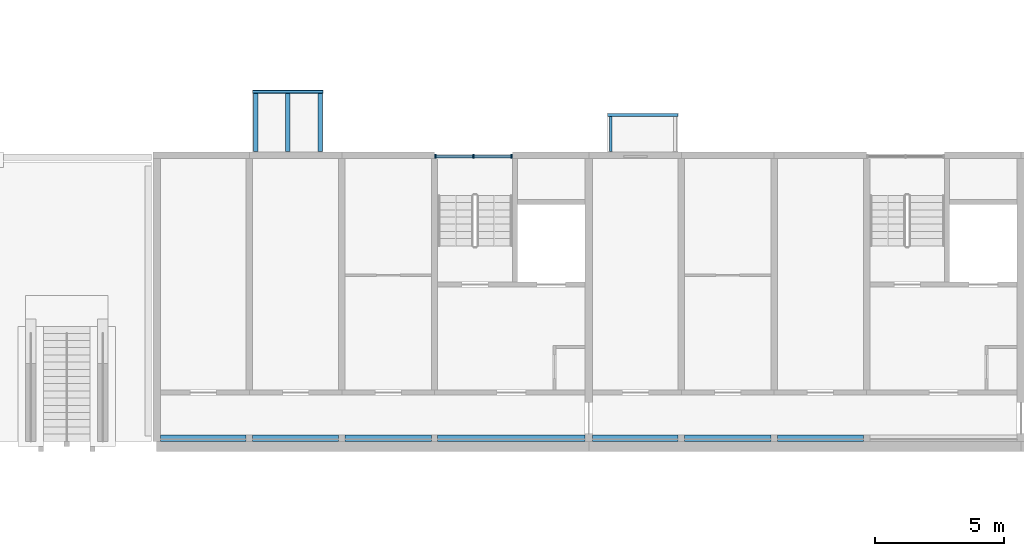
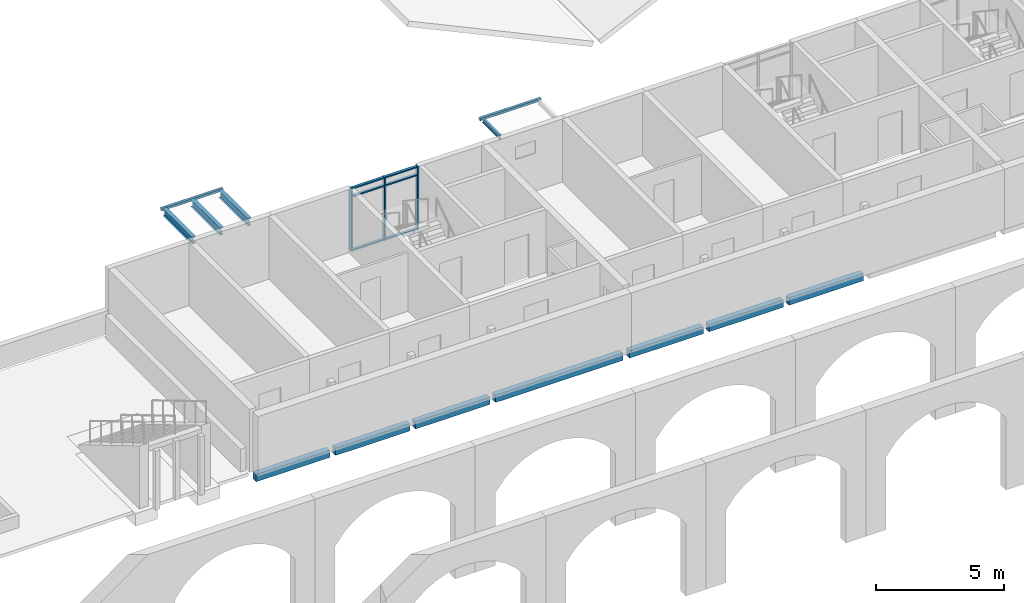
# One storey, part 10 of 122: 13 beams, 9 members, 1 element without a shape of its own.
"""IFC4 building model written with IfcOpenShell, lengths in metres."""

from ifc_helpers import new_model, si_unit, direction, frame, origin, origin_2d, place, context, subcontext, project, spatial, rectangle, hollow_rectangle, i_section, extrude, material, material_profile, profile_set, type_object, element, aggregate, save


model = new_model("IFC4")

# Units and contexts
model_context = context("Model", 3, precision=1e-05, world=origin(), true_north=direction((0.0, 1.0)))
body_context = subcontext(model_context, "Body", "Model", "MODEL_VIEW")
ifc_project = project(units=[si_unit("LENGTHUNIT", "METRE"), si_unit("AREAUNIT", "SQUARE_METRE"), si_unit("VOLUMEUNIT", "CUBIC_METRE"), si_unit("PLANEANGLEUNIT", "RADIAN"), si_unit("MASSUNIT", "GRAM", prefix="KILO")], contexts=[model_context])

# Site, building, storey
site_placement = place(None, origin())
site = spatial("IfcSite", under=ifc_project, at=site_placement, CompositionType="ELEMENT")
building_placement = place(site_placement, origin())
building = spatial("IfcBuilding", under=site, at=building_placement, Name="Ridgestep Commons", CompositionType="ELEMENT")
storey_placement = place(building_placement, frame((0.0, 0.0, 3.0)))
storey = spatial("IfcBuildingStorey", under=building, at=storey_placement, Name="L01", CompositionType="ELEMENT", Elevation=3.0)

# Beams
ifc_material_1 = material(Name="Precast concrete C40/50", Category="concrete")
ifc_material_profile_1 = material_profile(ifc_material_1, rectangle(XDim=0.25, YDim=0.35009765625, at=origin_2d()), Name="PC 250x350")
ifc_profile_set_1 = profile_set([ifc_material_profile_1], Name="Precast concrete C40/50")
beam_type_1 = type_object("IfcBeamType", Name="Loggia edge beam 250 x 350", PredefinedType="SPANDREL", material=ifc_profile_set_1)
beam_1_placement = place(storey_placement, frame((12.14990234375, 11.875, -0.375), z_axis=(1.0, 0.0, 0.0), x_axis=(0.0, 1.0, 0.0)))
element("IfcBeam", 1, at=beam_1_placement, inside=storey, type_object=beam_type_1, Name="Loggia edge beam A1T1 L01", PredefinedType="SPANDREL", context=body_context, shape_type="SweptSolid", body=[
    extrude(rectangle(XDim=0.25, YDim=0.35009765625, at=origin_2d()), origin(), (0.0, 0.0, 1.0), 3.3251953125),
])
beam_2_placement = place(storey_placement, frame((15.72509765625, 11.875, -0.375), z_axis=(1.0, 0.0, 0.0), x_axis=(0.0, 1.0, 0.0)))
element("IfcBeam", 2, at=beam_2_placement, inside=storey, type_object=beam_type_1, Name="Loggia edge beam A1T2 L01", PredefinedType="SPANDREL", context=body_context, shape_type="SweptSolid", body=[
    extrude(rectangle(XDim=0.25, YDim=0.35009765625, at=origin_2d()), origin(), (0.0, 0.0, 1.0), 3.349853515625),
])
beam_3_placement = place(storey_placement, frame((19.324951171875, 11.875, -0.375), z_axis=(1.0, 0.0, 0.0), x_axis=(0.0, 1.0, 0.0)))
element("IfcBeam", 3, at=beam_3_placement, inside=storey, type_object=beam_type_1, Name="Loggia edge beam A1T3 L01", PredefinedType="SPANDREL", context=body_context, shape_type="SweptSolid", body=[
    extrude(rectangle(XDim=0.25, YDim=0.35009765625, at=origin_2d()), origin(), (0.0, 0.0, 1.0), 3.35009765625),
])
beam_4_placement = place(storey_placement, frame((22.925048828125, 11.875, -0.375), z_axis=(1.0, 0.0, 0.0), x_axis=(0.0, 1.0, 0.0)))
element("IfcBeam", 4, at=beam_4_placement, inside=storey, type_object=beam_type_1, Name="Loggia edge beam A1C L01", PredefinedType="SPANDREL", context=body_context, shape_type="SweptSolid", body=[
    extrude(rectangle(XDim=0.25, YDim=0.35009765625, at=origin_2d()), origin(), (0.0, 0.0, 1.0), 5.724853515625),
])
beam_5_placement = place(storey_placement, frame((28.949951171875, 11.875, -0.375), z_axis=(1.0, 0.0, 0.0), x_axis=(0.0, 1.0, 0.0)))
element("IfcBeam", 5, at=beam_5_placement, inside=storey, type_object=beam_type_1, Name="Loggia edge beam A2T1 L01", PredefinedType="SPANDREL", context=body_context, shape_type="SweptSolid", body=[
    extrude(rectangle(XDim=0.25, YDim=0.35009765625, at=origin_2d()), origin(), (0.0, 0.0, 1.0), 3.324951171875),
])
for number, where, z_axis, x_axis, name in (
    (6, (32.52490234375, 11.875, -0.375), (1.0, 0.0, 0.0), (0.0, 1.0, 0.0), "Loggia edge beam A2T2 L01"),
    (7, (36.125, 11.875, -0.375), (1.0, 0.0, 0.0), (0.0, 1.0, 0.0), "Loggia edge beam A2T3 L01"),
):
    element("IfcBeam", number, at=place(storey_placement, frame(where, z_axis=z_axis, x_axis=x_axis)), inside=storey, type_object=beam_type_1, Name=name, PredefinedType="SPANDREL", context=body_context, shape_type="SweptSolid", body=[
        extrude(rectangle(XDim=0.25, YDim=0.35009765625, at=origin_2d()), origin(), (0.0, 0.0, 1.0), 3.35009765625),
    ])

# Curtain wall, members
ifc_material_2 = material(Name="Aluminium 6063-T6 and glass", Category="aluminium")
curtain_wall_type = type_object("IfcCurtainWallType", Name="Curtain wall stair strip", PredefinedType="NOTDEFINED", material=ifc_material_2)
curtain_wall_placement = place(storey_placement, origin())
curtain_wall = element("IfcCurtainWall", 8, at=curtain_wall_placement, inside=storey, type_object=curtain_wall_type, Name="Curtain wall A1C level 01", PredefinedType="NOTDEFINED")
ifc_material_3 = material(Name="Aluminium 6063-T6", Category="aluminium")
ifc_material_profile_2 = material_profile(ifc_material_3, rectangle(XDim=0.159912109375, YDim=0.06005859375, at=origin_2d()), Name="Mullion 60 x 160")
ifc_profile_set_2 = profile_set([ifc_material_profile_2], Name="Aluminium 6063-T6")
member_type_1 = type_object("IfcMemberType", Name="Mullion 60 x 160", PredefinedType="MULLION", material=ifc_profile_set_2)
member_1_placement = place(storey_placement, frame((22.830078125, 22.830078125, 0.0), z_axis=(0.0, 0.0, 1.0), x_axis=(0.0, 1.0, 0.0)))
member_1 = element("IfcMember", 9, at=member_1_placement, type_object=member_type_1, Name="CW1 mullion 1", PredefinedType="MULLION", context=body_context, shape_type="SweptSolid", body=[
    extrude(rectangle(XDim=0.159912109375, YDim=0.06005859375, at=origin_2d()), origin(), (0.0, 0.0, 1.0), 3.0),
])
member_2_placement = place(storey_placement, frame((24.3125, 22.830078125, 0.0), z_axis=(0.0, 0.0, 1.0), x_axis=(0.0, 1.0, 0.0)))
member_2 = element("IfcMember", 10, at=member_2_placement, type_object=member_type_1, Name="CW1 mullion 2", PredefinedType="MULLION", context=body_context, shape_type="SweptSolid", body=[
    extrude(rectangle(XDim=0.159912109375, YDim=0.06005859375, at=origin_2d()), origin(), (0.0, 0.0, 1.0), 3.0),
])
member_3_placement = place(storey_placement, frame((25.794921875, 22.830078125, 0.0), z_axis=(0.0, 0.0, 1.0), x_axis=(0.0, 1.0, 0.0)))
member_3 = element("IfcMember", 11, at=member_3_placement, type_object=member_type_1, Name="CW1 mullion 3", PredefinedType="MULLION", context=body_context, shape_type="SweptSolid", body=[
    extrude(rectangle(XDim=0.159912109375, YDim=0.06005859375, at=origin_2d()), origin(), (0.0, 0.0, 1.0), 3.0),
])
ifc_material_4 = material(Name="Aluminium 6063-T6", Category="aluminium")
ifc_material_profile_3 = material_profile(ifc_material_4, rectangle(XDim=0.1201171875, YDim=0.06005859375, at=origin_2d()), Name="Transom 60 x 120")
ifc_profile_set_3 = profile_set([ifc_material_profile_3], Name="Aluminium 6063-T6")
member_type_2 = type_object("IfcMemberType", Name="Transom 60 x 120", PredefinedType="USERDEFINED", material=ifc_profile_set_3)
member_4_placement = place(storey_placement, frame((22.860107421875, 22.830078125, 0.030029296875), z_axis=(1.0, 0.0, 0.0), x_axis=(0.0, 1.0, 0.0)))
member_4 = element("IfcMember", 12, at=member_4_placement, type_object=member_type_2, Name="CW1 transom 1.1", ObjectType="TRANSOM", PredefinedType="USERDEFINED", context=body_context, shape_type="SweptSolid", body=[
    extrude(rectangle(XDim=0.1201171875, YDim=0.06005859375, at=origin_2d()), origin(), (0.0, 0.0, 1.0), 1.42236328125),
])
member_5_placement = place(storey_placement, frame((22.860107421875, 22.830078125, 2.590087890625), z_axis=(1.0, 0.0, 0.0), x_axis=(0.0, 1.0, 0.0)))
member_5 = element("IfcMember", 13, at=member_5_placement, type_object=member_type_2, Name="CW1 transom 1.2", ObjectType="TRANSOM", PredefinedType="USERDEFINED", context=body_context, shape_type="SweptSolid", body=[
    extrude(rectangle(XDim=0.1201171875, YDim=0.06005859375, at=origin_2d()), origin(), (0.0, 0.0, 1.0), 1.42236328125),
])
member_6_placement = place(storey_placement, frame((22.860107421875, 22.830078125, 2.969970703125), z_axis=(1.0, 0.0, 0.0), x_axis=(0.0, 1.0, 0.0)))
member_6 = element("IfcMember", 14, at=member_6_placement, type_object=member_type_2, Name="CW1 transom 1.3", ObjectType="TRANSOM", PredefinedType="USERDEFINED", context=body_context, shape_type="SweptSolid", body=[
    extrude(rectangle(XDim=0.1201171875, YDim=0.06005859375, at=origin_2d()), origin(), (0.0, 0.0, 1.0), 1.42236328125),
])
member_7_placement = place(storey_placement, frame((24.342529296875, 22.830078125, 0.030029296875), z_axis=(1.0, 0.0, 0.0), x_axis=(0.0, 1.0, 0.0)))
member_7 = element("IfcMember", 15, at=member_7_placement, type_object=member_type_2, Name="CW1 transom 2.1", ObjectType="TRANSOM", PredefinedType="USERDEFINED", context=body_context, shape_type="SweptSolid", body=[
    extrude(rectangle(XDim=0.1201171875, YDim=0.06005859375, at=origin_2d()), origin(), (0.0, 0.0, 1.0), 1.42236328125),
])
member_8_placement = place(storey_placement, frame((24.342529296875, 22.830078125, 2.590087890625), z_axis=(1.0, 0.0, 0.0), x_axis=(0.0, 1.0, 0.0)))
member_8 = element("IfcMember", 16, at=member_8_placement, type_object=member_type_2, Name="CW1 transom 2.2", ObjectType="TRANSOM", PredefinedType="USERDEFINED", context=body_context, shape_type="SweptSolid", body=[
    extrude(rectangle(XDim=0.1201171875, YDim=0.06005859375, at=origin_2d()), origin(), (0.0, 0.0, 1.0), 1.42236328125),
])
member_9_placement = place(storey_placement, frame((24.342529296875, 22.830078125, 2.969970703125), z_axis=(1.0, 0.0, 0.0), x_axis=(0.0, 1.0, 0.0)))
member_9 = element("IfcMember", 17, at=member_9_placement, type_object=member_type_2, Name="CW1 transom 2.3", ObjectType="TRANSOM", PredefinedType="USERDEFINED", context=body_context, shape_type="SweptSolid", body=[
    extrude(rectangle(XDim=0.1201171875, YDim=0.06005859375, at=origin_2d()), origin(), (0.0, 0.0, 1.0), 1.42236328125),
])
aggregate(curtain_wall, [member_1, member_2, member_3, member_4, member_5, member_6, member_7, member_8, member_9])

# Beams
ifc_material_5 = material(Name="Weathering steel S355J2W", Category="steel")
ifc_material_profile_4 = material_profile(ifc_material_5, i_section(OverallWidth=0.101806640625, OverallDepth=0.203125, WebThickness=0.00537109375, FlangeThickness=0.00927734375, FilletRadius=0.007568359375, at=origin_2d()), Name="UB 203x102x23")
ifc_profile_set_4 = profile_set([ifc_material_profile_4], Name="Weathering steel S355J2W")
beam_type_2 = type_object("IfcBeamType", Name="Tray arm UB 203x102x23", PredefinedType="BEAM", material=ifc_profile_set_4)
beam_6_placement = place(storey_placement, frame((29.64990234375, 23.014892578125, 2.888427734375), z_axis=(0.0, 1.0, 0.0), x_axis=(-1.0, 0.0, 0.0)))
element("IfcBeam", 18, at=beam_6_placement, inside=storey, type_object=beam_type_2, Name="Tray arm A2T1-02.1", PredefinedType="BEAM", context=body_context, shape_type="SweptSolid", body=[
    extrude(i_section(OverallWidth=0.101806640625, OverallDepth=0.203125, WebThickness=0.00537109375, FlangeThickness=0.00927734375, FilletRadius=0.007568359375, at=origin_2d()), origin(), (0.0, 0.0, 1.0), 1.364990234375),
])
ifc_material_6 = material(Name="Weathering steel S355J2W", Category="steel")
ifc_material_profile_5 = material_profile(ifc_material_6, i_section(OverallWidth=0.171142578125, OverallDepth=0.351318359375, WebThickness=0.007080078125, FlangeThickness=0.009765625, FilletRadius=0.01025390625, at=origin_2d()), Name="UB 356x171x45")
ifc_profile_set_5 = profile_set([ifc_material_profile_5], Name="Weathering steel S355J2W")
beam_type_3 = type_object("IfcBeamType", Name="Tray arm UB 356x171x45", PredefinedType="BEAM", material=ifc_profile_set_5)
for number, where, z_axis, x_axis, name in (
    (19, (15.85009765625, 23.014892578125, 2.814208984375), (0.0, 1.0, 0.0), (-1.0, 0.0, 0.0), "Tray arm A1T2-02.1"),
    (20, (17.10009765625, 23.014892578125, 2.814208984375), (0.0, 1.0, 0.0), (-1.0, 0.0, 0.0), "Tray arm A1T2-02.2"),
    (21, (18.35009765625, 23.014892578125, 2.814208984375), (0.0, 1.0, 0.0), (-1.0, 0.0, 0.0), "Tray arm A1T2-02.3"),
):
    element("IfcBeam", number, at=place(storey_placement, frame(where, z_axis=z_axis, x_axis=x_axis)), inside=storey, type_object=beam_type_3, Name=name, PredefinedType="BEAM", context=body_context, shape_type="SweptSolid", body=[
        extrude(i_section(OverallWidth=0.171142578125, OverallDepth=0.351318359375, WebThickness=0.007080078125, FlangeThickness=0.009765625, FilletRadius=0.01025390625, at=origin_2d()), origin(), (0.0, 0.0, 1.0), 2.26513671875),
    ])
ifc_material_7 = material(Name="Weathering steel S355J2W", Category="steel")
ifc_material_profile_6 = material_profile(ifc_material_7, hollow_rectangle(XDim=0.1201171875, YDim=0.1201171875, WallThickness=0.00634765625, InnerFilletRadius=0.00634765625, OuterFilletRadius=0.009521484375, at=origin_2d()), Name="SHS 120x120x6.3")
ifc_profile_set_6 = profile_set([ifc_material_profile_6], Name="Weathering steel S355J2W")
beam_type_4 = type_object("IfcBeamType", Name="Tray edge member SHS 120x120x6.3", PredefinedType="BEAM", material=ifc_profile_set_6)
for number, where, z_axis, x_axis, name in (
    (22, (15.72998046875, 25.340087890625, 2.929931640625), (1.0, 0.0, 0.0), (0.0, 0.0, 1.0), "Tray edge member A1T2-02"),
    (23, (29.530029296875, 24.43994140625, 2.929931640625), (1.0, 0.0, 0.0), (0.0, 0.0, 1.0), "Tray edge member A2T1-02"),
):
    element("IfcBeam", number, at=place(storey_placement, frame(where, z_axis=z_axis, x_axis=x_axis)), inside=storey, type_object=beam_type_4, Name=name, PredefinedType="BEAM", context=body_context, shape_type="SweptSolid", body=[
        extrude(hollow_rectangle(XDim=0.1201171875, YDim=0.1201171875, WallThickness=0.00634765625, InnerFilletRadius=0.00634765625, OuterFilletRadius=0.009521484375, at=origin_2d()), origin(), (0.0, 0.0, 1.0), 2.739990234375),
    ])

save(model, "model.ifc")
